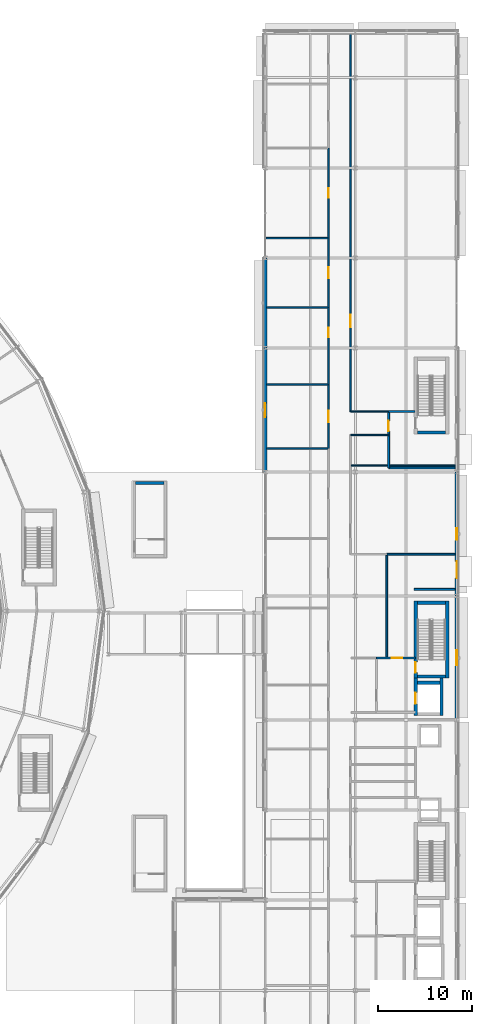
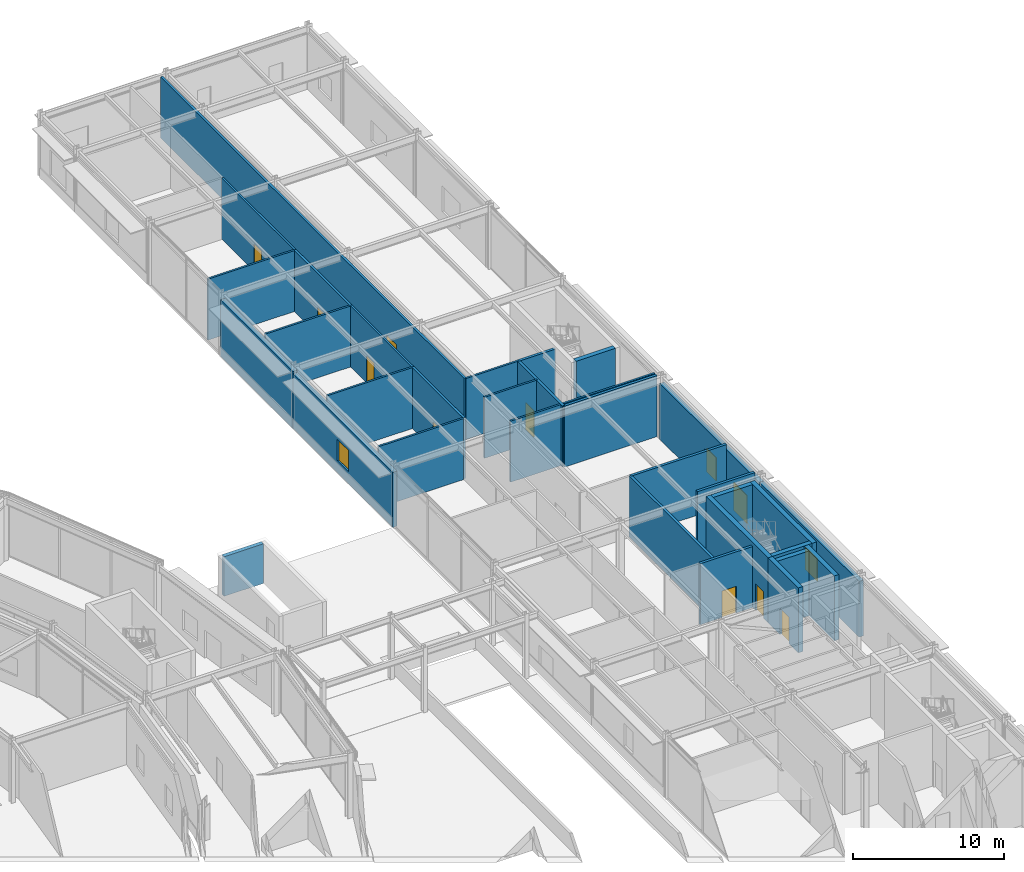
# One storey, part 130 of 168: 32 walls, 10 doors, 3 windows, 13 openings.
"""IFC4 building model written with IfcOpenShell, lengths in metres."""

from ifc_helpers import new_model, si_unit, direction, frame, frame_2d, origin, place, context, subcontext, project, spatial, rectangle, extrude, material, layer, layer_set, type_object, element, fill, save


model = new_model("IFC4")

# Units and contexts
model_context = context("Model", 3, precision=1e-05, world=origin(), true_north=direction((0.0, 1.0)))
body_context = subcontext(model_context, "Body", "Model", "MODEL_VIEW")
ifc_project = project(units=[si_unit("LENGTHUNIT", "METRE"), si_unit("AREAUNIT", "SQUARE_METRE"), si_unit("VOLUMEUNIT", "CUBIC_METRE"), si_unit("PLANEANGLEUNIT", "RADIAN"), si_unit("MASSUNIT", "GRAM", prefix="KILO")], contexts=[model_context])

# Site, building, storey
site_placement = place(None, origin())
site = spatial("IfcSite", under=ifc_project, at=site_placement, CompositionType="ELEMENT")
building_placement = place(site_placement, origin())
building = spatial("IfcBuilding", under=site, at=building_placement, Name="Almandine Court Research Institute", CompositionType="ELEMENT")
storey_placement = place(building_placement, origin())
storey = spatial("IfcBuildingStorey", under=building, at=storey_placement, Name="L00", CompositionType="ELEMENT", Elevation=0.0)

# Wall, opening, window
ifc_material_1 = material(Name="Andean Red-Buff Sandstone Plinth Wall", Category="masonry")
ifc_layer_1 = layer(ifc_material_1, 0.340087890625)
ifc_layer_set_1 = layer_set([ifc_layer_1], Name="Andean Red-Buff Sandstone Plinth Wall")
wall_type_1 = type_object("IfcWallType", Name="Wall-EXT-SAND-340", PredefinedType="SOLIDWALL", material=ifc_layer_set_1)
wall_1_placement = place(storey_placement, frame((153.60009765625, 70.803955078125, 0.0), z_axis=(0.0, 0.0, 1.0), x_axis=(0.0, 1.0, 0.0)))
wall_1 = element("IfcWall", 1, at=wall_1_placement, inside=storey, type_object=wall_type_1, Name="L00 Wet Lab West Facade Wall 5", PredefinedType="SOLIDWALL", context=body_context, shape_type="SweptSolid", body=[
    extrude(rectangle(XDim=13.192138671875, YDim=0.340087890625, at=frame_2d((6.59619140625, 0.0))), origin(), (0.0, 0.0, 1.0), 4.44189453125),
])
opening_1_placement = place(wall_1_placement, frame((5.85107421875, 0.0, 0.949951171875)))
opening_1 = element("IfcOpeningElement", 2, at=opening_1_placement, cuts=wall_1, Name="Opening WN-46", PredefinedType="OPENING", context=body_context, shape_type="SweptSolid", body=[
    extrude(rectangle(XDim=1.489990234375, YDim=1.72998046875, at=frame_2d((0.7451171875, 0.864990234375))), frame((0.0, 0.179931640625, 0.0), z_axis=(0.0, -1.0, 0.0), x_axis=(1.0, 0.0, 0.0)), (0.0, 0.0, 1.0), 0.360107421875),
])
ifc_material_2 = material(Name="Thermally Broken Low-E Double-Glazed Window", Category="glass")
window_type_1 = type_object("IfcWindowType", Name="Win-WN-46-1490x1730", PartitioningType="SINGLE_PANEL", PredefinedType="WINDOW", material=ifc_material_2)
window_1_placement = place(opening_1_placement, origin())
window_1 = element("IfcWindow", 3, at=window_1_placement, inside=storey, type_object=window_type_1, Name="L00 Modular Recessed Low-E Window 70", OverallHeight=1.72998046875, OverallWidth=1.489990234375, PartitioningType="SINGLE_PANEL", PredefinedType="WINDOW", context=body_context, shape_type="SweptSolid", body=[
    extrude(rectangle(XDim=1.489990234375, YDim=1.72998046875, at=frame_2d((0.7451171875, 0.864990234375))), frame((0.0, 0.030029296875, 0.0), z_axis=(0.0, -1.0, 0.0), x_axis=(1.0, 0.0, 0.0)), (0.0, 0.0, 1.0), 0.06005859375),
])
fill(opening_1, window_1)

# Wall
wall_2_placement = place(storey_placement, frame((153.60009765625, 84.00390625, 0.0), z_axis=(0.0, 0.0, 1.0), x_axis=(0.0, 1.0, 0.0)))
element("IfcWall", 4, at=wall_2_placement, inside=storey, type_object=wall_type_1, Name="L00 Wet Lab West Facade Wall 6", PredefinedType="SOLIDWALL", context=body_context, shape_type="SweptSolid", body=[
    extrude(rectangle(XDim=9.592041015625, YDim=0.340087890625, at=frame_2d((4.7958984375, 0.0))), origin(), (0.0, 0.0, 1.0), 4.593017578125),
])

# Wall, openings, door, window
wall_3_placement = place(storey_placement, frame((174.0, 70.7958984375, 0.0), z_axis=(0.0, 0.0, 1.0), x_axis=(0.0, -1.0, 0.0)))
wall_3 = element("IfcWall", 5, at=wall_3_placement, inside=storey, type_object=wall_type_1, Name="L00 Wet Lab East Facade Wall 6", PredefinedType="SOLIDWALL", context=body_context, shape_type="SweptSolid", body=[
    extrude(rectangle(XDim=13.19189453125, YDim=0.340087890625, at=frame_2d((6.595947265625, 0.0))), origin(), (0.0, 0.0, 1.0), 4.51611328125),
])
opening_2_placement = place(wall_3_placement, frame((9.5, 0.0, 0.0)))
opening_2 = element("IfcOpeningElement", 6, at=opening_2_placement, cuts=wall_3, Name="Opening EX-02", PredefinedType="OPENING", context=body_context, shape_type="SweptSolid", body=[
    extrude(rectangle(XDim=1.800048828125, YDim=2.25, at=frame_2d((0.89990234375, 1.125))), frame((0.0, 0.179931640625, 0.0), z_axis=(0.0, -1.0, 0.0), x_axis=(1.0, 0.0, 0.0)), (0.0, 0.0, 1.0), 0.360107421875),
])
opening_3_placement = place(wall_3_placement, frame((5.9609375, 0.0, 0.949951171875)))
opening_3 = element("IfcOpeningElement", 7, at=opening_3_placement, cuts=wall_3, Name="Opening WN-55", PredefinedType="OPENING", context=body_context, shape_type="SweptSolid", body=[
    extrude(rectangle(XDim=1.27001953125, YDim=1.889892578125, at=frame_2d((0.635009765625, 0.94482421875))), frame((0.0, 0.179931640625, 0.0), z_axis=(0.0, -1.0, 0.0), x_axis=(1.0, 0.0, 0.0)), (0.0, 0.0, 1.0), 0.360107421875),
])
ifc_material_3 = material(Name="Anodised Aluminium Exit Discharge Door", Category="aluminium")
door_type_1 = type_object("IfcDoorType", Name="Door-EX-1800", OperationType="DOUBLE_DOOR_SINGLE_SWING", PredefinedType="DOOR", material=ifc_material_3)
door_1_placement = place(opening_2_placement, origin())
door_1 = element("IfcDoor", 8, at=door_1_placement, inside=storey, type_object=door_type_1, Name="L00 Core 2 ST-08 East Protected Exit Door", OperationType="DOUBLE_DOOR_SINGLE_SWING", OverallHeight=2.25, OverallWidth=1.800048828125, PredefinedType="DOOR", context=body_context, shape_type="SweptSolid", body=[
    extrude(rectangle(XDim=1.800048828125, YDim=2.25, at=frame_2d((0.89990234375, 1.125))), frame((0.0, 0.02490234375, 0.0), z_axis=(0.0, -1.0, 0.0), x_axis=(1.0, 0.0, 0.0)), (0.0, 0.0, 1.0), 0.050048828125),
])
fill(opening_2, door_1)
window_type_2 = type_object("IfcWindowType", Name="Win-WN-55-1270x1890", PartitioningType="SINGLE_PANEL", PredefinedType="WINDOW", material=ifc_material_2)
window_2_placement = place(opening_3_placement, origin())
window_2 = element("IfcWindow", 9, at=window_2_placement, inside=storey, type_object=window_type_2, Name="L00 Modular Recessed Low-E Window 80", OverallHeight=1.889892578125, OverallWidth=1.27001953125, PartitioningType="SINGLE_PANEL", PredefinedType="WINDOW", context=body_context, shape_type="SweptSolid", body=[
    extrude(rectangle(XDim=1.27001953125, YDim=1.889892578125, at=frame_2d((0.635009765625, 0.94482421875))), frame((0.0, 0.030029296875, 0.0), z_axis=(0.0, -1.0, 0.0), x_axis=(1.0, 0.0, 0.0)), (0.0, 0.0, 1.0), 0.06005859375),
])
fill(opening_3, window_2)

# Wall, opening, window
wall_4_placement = place(storey_placement, frame((174.0, 57.595947265625, 0.0), z_axis=(0.0, 0.0, 1.0), x_axis=(0.0, -1.0, 0.0)))
wall_4 = element("IfcWall", 10, at=wall_4_placement, inside=storey, type_object=wall_type_1, Name="L00 Wet Lab East Facade Wall 5", PredefinedType="SOLIDWALL", context=body_context, shape_type="SweptSolid", body=[
    extrude(rectangle(XDim=13.19189453125, YDim=0.340087890625, at=frame_2d((6.595947265625, 0.0))), origin(), (0.0, 0.0, 1.0), 4.51611328125),
])
opening_4_placement = place(wall_4_placement, frame((5.7958984375, 0.0, 0.949951171875)))
opening_4 = element("IfcOpeningElement", 11, at=opening_4_placement, cuts=wall_4, Name="Opening WN-56", PredefinedType="OPENING", context=body_context, shape_type="SweptSolid", body=[
    extrude(rectangle(XDim=1.60009765625, YDim=1.81005859375, at=frame_2d((0.800048828125, 0.905029296875))), frame((0.0, 0.179931640625, 0.0), z_axis=(0.0, -1.0, 0.0), x_axis=(1.0, 0.0, 0.0)), (0.0, 0.0, 1.0), 0.360107421875),
])
window_type_3 = type_object("IfcWindowType", Name="Win-WN-56-1600x1810", PartitioningType="SINGLE_PANEL", PredefinedType="WINDOW", material=ifc_material_2)
window_3_placement = place(opening_4_placement, origin())
window_3 = element("IfcWindow", 12, at=window_3_placement, inside=storey, type_object=window_type_3, Name="L00 Modular Recessed Low-E Window 81", OverallHeight=1.81005859375, OverallWidth=1.60009765625, PartitioningType="SINGLE_PANEL", PredefinedType="WINDOW", context=body_context, shape_type="SweptSolid", body=[
    extrude(rectangle(XDim=1.60009765625, YDim=1.81005859375, at=frame_2d((0.800048828125, 0.905029296875))), frame((0.0, 0.030029296875, 0.0), z_axis=(0.0, -1.0, 0.0), x_axis=(1.0, 0.0, 0.0)), (0.0, 0.0, 1.0), 0.06005859375),
])
fill(opening_4, window_3)

# Wall, opening, door
ifc_material_4 = material(Name="One-Hour Fire-Rated Laboratory Partition")
ifc_layer_2 = layer(ifc_material_4, 0.175048828125)
ifc_layer_set_2 = layer_set([ifc_layer_2], Name="One-Hour Fire-Rated Laboratory Partition")
wall_type_2 = type_object("IfcWallType", Name="Wall-FIRE-175", PredefinedType="PARTITIONING", material=ifc_layer_set_2)
wall_5_placement = place(storey_placement, frame((160.35009765625, 73.320068359375, 0.0), z_axis=(0.0, 0.0, 1.0), x_axis=(0.0, 1.0, 0.0)))
wall_5 = element("IfcWall", 13, at=wall_5_placement, inside=storey, type_object=wall_type_2, Name="L00 Interior Partition W-V4-L00-WW-7", PredefinedType="PARTITIONING", context=body_context, shape_type="SweptSolid", body=[
    extrude(rectangle(XDim=6.800048828125, YDim=0.175048828125, at=frame_2d((3.39990234375, 0.0))), origin(), (0.0, 0.0, 1.0), 4.929931640625),
])
opening_5_placement = place(wall_5_placement, frame((2.800048828125, 0.0, 0.0)))
opening_5 = element("IfcOpeningElement", 14, at=opening_5_placement, cuts=wall_5, Name="Opening FD-LAB", PredefinedType="OPENING", context=body_context, shape_type="SweptSolid", body=[
    extrude(rectangle(XDim=1.199951171875, YDim=2.199951171875, at=frame_2d((0.60009765625, 1.10009765625))), frame((0.0, 0.097412109375, 0.0), z_axis=(0.0, -1.0, 0.0), x_axis=(1.0, 0.0, 0.0)), (0.0, 0.0, 1.0), 0.195068359375),
])
ifc_material_5 = material(Name="Fire-Rated Laboratory Containment Door")
door_type_2 = type_object("IfcDoorType", Name="Door-FD-LAB-1200", OperationType="NOTDEFINED", PredefinedType="DOOR", material=ifc_material_5)
door_2_placement = place(opening_5_placement, origin())
door_2 = element("IfcDoor", 15, at=door_2_placement, inside=storey, type_object=door_type_2, Name="L00 Wet Chemistry Laboratory Door", OperationType="SINGLE_SWING_LEFT", OverallHeight=2.199951171875, OverallWidth=1.199951171875, PredefinedType="DOOR", context=body_context, shape_type="SweptSolid", body=[
    extrude(rectangle(XDim=1.199951171875, YDim=2.199951171875, at=frame_2d((0.60009765625, 1.10009765625))), frame((0.0, 0.02490234375, 0.0), z_axis=(0.0, -1.0, 0.0), x_axis=(1.0, 0.0, 0.0)), (0.0, 0.0, 1.0), 0.050048828125),
])
fill(opening_5, door_2)

wall_6_placement = place(storey_placement, frame((160.35009765625, 88.320068359375, 0.0), z_axis=(0.0, 0.0, 1.0), x_axis=(0.0, 1.0, 0.0)))
wall_6 = element("IfcWall", 16, at=wall_6_placement, inside=storey, type_object=wall_type_2, Name="L00 Interior Partition W-V4-L00-WW-9", PredefinedType="PARTITIONING", context=body_context, shape_type="SweptSolid", body=[
    extrude(rectangle(XDim=7.39990234375, YDim=0.175048828125, at=frame_2d((3.699951171875, 0.0))), origin(), (0.0, 0.0, 1.0), 4.929931640625),
])
opening_6_placement = place(wall_6_placement, frame((3.10009765625, 0.0, 0.0)))
opening_6 = element("IfcOpeningElement", 17, at=opening_6_placement, cuts=wall_6, Name="Opening FD-LAB", PredefinedType="OPENING", context=body_context, shape_type="SweptSolid", body=[
    extrude(rectangle(XDim=1.199951171875, YDim=2.199951171875, at=frame_2d((0.60009765625, 1.10009765625))), frame((0.0, 0.097412109375, 0.0), z_axis=(0.0, -1.0, 0.0), x_axis=(1.0, 0.0, 0.0)), (0.0, 0.0, 1.0), 0.195068359375),
])
door_3_placement = place(opening_6_placement, origin())
door_3 = element("IfcDoor", 18, at=door_3_placement, inside=storey, type_object=door_type_2, Name="L00 Biosciences BSL-2 Laboratory Door", OperationType="SINGLE_SWING_LEFT", OverallHeight=2.199951171875, OverallWidth=1.199951171875, PredefinedType="DOOR", context=body_context, shape_type="SweptSolid", body=[
    extrude(rectangle(XDim=1.199951171875, YDim=2.199951171875, at=frame_2d((0.60009765625, 1.10009765625))), frame((0.0, 0.02490234375, 0.0), z_axis=(0.0, -1.0, 0.0), x_axis=(1.0, 0.0, 0.0)), (0.0, 0.0, 1.0), 0.050048828125),
])
fill(opening_6, door_3)

wall_7_placement = place(storey_placement, frame((162.699951171875, 77.25, 0.0), z_axis=(0.0, 0.0, 1.0), x_axis=(0.0, 1.0, 0.0)))
wall_7 = element("IfcWall", 19, at=wall_7_placement, inside=storey, type_object=wall_type_2, Name="L00 Interior Partition W-V4-L00-EW-N2", PredefinedType="PARTITIONING", context=body_context, shape_type="SweptSolid", body=[
    extrude(rectangle(XDim=40.18994140625, YDim=0.175048828125, at=frame_2d((20.094970703125, 0.0))), origin(), (0.0, 0.0, 1.0), 4.929931640625),
])
opening_7_placement = place(wall_7_placement, frame((8.949951171875, 0.0, 0.0)))
opening_7 = element("IfcOpeningElement", 20, at=opening_7_placement, cuts=wall_7, Name="Opening FD-LB2", PredefinedType="OPENING", context=body_context, shape_type="SweptSolid", body=[
    extrude(rectangle(XDim=1.35009765625, YDim=2.199951171875, at=frame_2d((0.675048828125, 1.10009765625))), frame((0.0, 0.097412109375, 0.0), z_axis=(0.0, -1.0, 0.0), x_axis=(1.0, 0.0, 0.0)), (0.0, 0.0, 1.0), 0.195068359375),
])
ifc_material_6 = material(Name="Wide Fire-Rated Cleanroom and Lab Door")
door_type_3 = type_object("IfcDoorType", Name="Door-FD-LAB-1350", OperationType="NOTDEFINED", PredefinedType="DOOR", material=ifc_material_6)
door_4_placement = place(opening_7_placement, origin())
door_4 = element("IfcDoor", 21, at=door_4_placement, inside=storey, type_object=door_type_3, Name="L00 East BSL-2 Lab Door", OperationType="SINGLE_SWING_RIGHT", OverallHeight=2.199951171875, OverallWidth=1.35009765625, PredefinedType="DOOR", context=body_context, shape_type="SweptSolid", body=[
    extrude(rectangle(XDim=1.35009765625, YDim=2.199951171875, at=frame_2d((0.675048828125, 1.10009765625))), frame((0.0, 0.02490234375, 0.0), z_axis=(0.0, -1.0, 0.0), x_axis=(1.0, 0.0, 0.0)), (0.0, 0.0, 1.0), 0.050048828125),
])
fill(opening_7, door_4)

ifc_material_7 = material(Name="Two-Hour Fire-Barrier Enclosure Wall")
ifc_layer_3 = layer(ifc_material_7, 0.199951171875)
ifc_layer_set_3 = layer_set([ifc_layer_3], Name="Two-Hour Fire-Barrier Enclosure Wall")
wall_type_3 = type_object("IfcWallType", Name="Wall-FIRE-200", PredefinedType="SOLIDWALL", material=ifc_layer_set_3)
wall_8_placement = place(storey_placement, frame((165.449951171875, 51.0, 0.0), z_axis=(0.0, 0.0, 1.0), x_axis=(1.0, 0.0, 0.0)))
wall_8 = element("IfcWall", 22, at=wall_8_placement, inside=storey, type_object=wall_type_3, Name="L00 Interior Partition W-FFL2-L00-N", PredefinedType="SOLIDWALL", context=body_context, shape_type="SweptSolid", body=[
    extrude(rectangle(XDim=4.150146484375, YDim=0.199951171875, at=frame_2d((2.0751953125, 0.0))), origin(), (0.0, 0.0, 1.0), 4.929931640625),
])
opening_8_placement = place(wall_8_placement, frame((1.64990234375, 0.0, 0.0)))
opening_8 = element("IfcOpeningElement", 23, at=opening_8_placement, cuts=wall_8, Name="Opening FD-FFL", PredefinedType="OPENING", context=body_context, shape_type="SweptSolid", body=[
    extrude(rectangle(XDim=1.10009765625, YDim=2.14990234375, at=frame_2d((0.550048828125, 1.074951171875))), frame((0.0, 0.10986328125, 0.0), z_axis=(0.0, -1.0, 0.0), x_axis=(1.0, 0.0, 0.0)), (0.0, 0.0, 1.0), 0.219970703125),
])
ifc_material_8 = material(Name="Smoke-Tight Firefighting Lobby Fire Door")
door_type_4 = type_object("IfcDoorType", Name="Door-FD-FFL-1100", OperationType="NOTDEFINED", PredefinedType="DOOR", material=ifc_material_8)
door_5_placement = place(opening_8_placement, origin())
door_5 = element("IfcDoor", 24, at=door_5_placement, inside=storey, type_object=door_type_4, Name="L00 ST-08 Protected Exit Passageway Door", OperationType="SINGLE_SWING_RIGHT", OverallHeight=2.14990234375, OverallWidth=1.10009765625, PredefinedType="DOOR", context=body_context, shape_type="SweptSolid", body=[
    extrude(rectangle(XDim=1.10009765625, YDim=2.14990234375, at=frame_2d((0.550048828125, 1.074951171875))), frame((0.0, 0.02490234375, 0.0), z_axis=(0.0, -1.0, 0.0), x_axis=(1.0, 0.0, 0.0)), (0.0, 0.0, 1.0), 0.050048828125),
])
fill(opening_8, door_5)

# Walls
wall_9_placement = place(storey_placement, frame((166.550048828125, 51.050048828125, 0.0), z_axis=(0.0, 0.0, 1.0), x_axis=(0.0, 1.0, 0.0)))
element("IfcWall", 25, at=wall_9_placement, inside=storey, type_object=wall_type_3, Name="L00 Interior Partition W-EP-ST08-W", PredefinedType="SOLIDWALL", context=body_context, shape_type="SweptSolid", body=[
    extrude(rectangle(XDim=11.0, YDim=0.199951171875, at=frame_2d((5.5, 0.0))), origin(), (0.0, 0.0, 1.0), 4.929931640625),
])
wall_10_placement = place(storey_placement, frame((166.550048828125, 62.050048828125, 0.0), z_axis=(0.0, 0.0, 1.0), x_axis=(1.0, 0.0, 0.0)))
element("IfcWall", 26, at=wall_10_placement, inside=storey, type_object=wall_type_3, Name="L00 Interior Partition W-EP-ST08-N", PredefinedType="SOLIDWALL", context=body_context, shape_type="SweptSolid", body=[
    extrude(rectangle(XDim=7.2900390625, YDim=0.199951171875, at=frame_2d((3.64501953125, 0.0))), origin(), (0.0, 0.0, 1.0), 4.929931640625),
])
wall_11_placement = place(storey_placement, frame((169.449951171875, 58.300048828125, 0.0), z_axis=(0.0, 0.0, 1.0), x_axis=(1.0, 0.0, 0.0)))
element("IfcWall", 27, at=wall_11_placement, inside=storey, type_object=wall_type_3, Name="L00 Interior Partition W-EP-ST08-S", PredefinedType="SOLIDWALL", context=body_context, shape_type="SweptSolid", body=[
    extrude(rectangle(XDim=4.39013671875, YDim=0.199951171875, at=frame_2d((2.195068359375, 0.0))), origin(), (0.0, 0.0, 1.0), 4.929931640625),
])

# Wall, opening, door
wall_12_placement = place(storey_placement, frame((166.75, 71.25, 0.0), z_axis=(0.0, 0.0, 1.0), x_axis=(0.0, 1.0, 0.0)))
wall_12 = element("IfcWall", 28, at=wall_12_placement, inside=storey, type_object=wall_type_3, Name="L00 Interior Partition W-EP-ST13-W", PredefinedType="SOLIDWALL", context=body_context, shape_type="SweptSolid", body=[
    extrude(rectangle(XDim=6.0, YDim=0.199951171875, at=frame_2d((3.0, 0.0))), origin(), (0.0, 0.0, 1.0), 4.929931640625),
])
opening_9_placement = place(wall_12_placement, frame((3.89990234375, 0.0, 0.0)))
opening_9 = element("IfcOpeningElement", 29, at=opening_9_placement, cuts=wall_12, Name="Opening FD-FFL", PredefinedType="OPENING", context=body_context, shape_type="SweptSolid", body=[
    extrude(rectangle(XDim=1.10009765625, YDim=2.14990234375, at=frame_2d((0.550048828125, 1.074951171875))), frame((0.0, 0.10986328125, 0.0), z_axis=(0.0, -1.0, 0.0), x_axis=(1.0, 0.0, 0.0)), (0.0, 0.0, 1.0), 0.219970703125),
])
door_6_placement = place(opening_9_placement, origin())
door_6 = element("IfcDoor", 30, at=door_6_placement, inside=storey, type_object=door_type_4, Name="L00 ST-13 Exit Lobby Fire Door", OperationType="SINGLE_SWING_LEFT", OverallHeight=2.14990234375, OverallWidth=1.10009765625, PredefinedType="DOOR", context=body_context, shape_type="SweptSolid", body=[
    extrude(rectangle(XDim=1.10009765625, YDim=2.14990234375, at=frame_2d((0.550048828125, 1.074951171875))), frame((0.0, 0.02490234375, 0.0), z_axis=(0.0, -1.0, 0.0), x_axis=(1.0, 0.0, 0.0)), (0.0, 0.0, 1.0), 0.050048828125),
])
fill(opening_9, door_6)

# Walls
wall_13_placement = place(storey_placement, frame((166.75, 71.25, 0.0), z_axis=(0.0, 0.0, 1.0), x_axis=(1.0, 0.0, 0.0)))
element("IfcWall", 31, at=wall_13_placement, inside=storey, type_object=wall_type_3, Name="L00 Interior Partition W-EP-ST13-S", PredefinedType="SOLIDWALL", context=body_context, shape_type="SweptSolid", body=[
    extrude(rectangle(XDim=7.090087890625, YDim=0.199951171875, at=frame_2d((3.544921875, 0.0))), origin(), (0.0, 0.0, 1.0), 4.929931640625),
])
wall_14_placement = place(storey_placement, frame((166.75, 77.25, 0.0), z_axis=(0.0, 0.0, 1.0), x_axis=(1.0, 0.0, 0.0)))
element("IfcWall", 32, at=wall_14_placement, inside=storey, type_object=wall_type_3, Name="L00 Interior Partition W-EP-ST13-N", PredefinedType="SOLIDWALL", context=body_context, shape_type="SweptSolid", body=[
    extrude(rectangle(XDim=2.800048828125, YDim=0.199951171875, at=frame_2d((1.39990234375, 0.0))), origin(), (0.0, 0.0, 1.0), 4.929931640625),
])
ifc_material_9 = material(Name="Acoustic Steel-Stud Gypsum Partition Wall", Category="steel")
ifc_layer_4 = layer(ifc_material_9, 0.14990234375)
ifc_layer_set_4 = layer_set([ifc_layer_4], Name="Acoustic Steel-Stud Gypsum Partition Wall")
wall_type_4 = type_object("IfcWallType", Name="Wall-PART-150", PredefinedType="PARTITIONING", material=ifc_layer_set_4)
for number, where, z_axis, x_axis, name in (
    (33, (153.760009765625, 73.320068359375, 0.0), (0.0, 0.0, 1.0), (1.0, 0.0, 0.0), "L00 Interior Partition W-V4-L00-WDIV-6"),
    (34, (153.760009765625, 80.1201171875, 0.0), (0.0, 0.0, 1.0), (1.0, 0.0, 0.0), "L00 Interior Partition W-V4-L00-WDIV-7"),
):
    element("IfcWall", number, at=place(storey_placement, frame(where, z_axis=z_axis, x_axis=x_axis)), inside=storey, type_object=wall_type_4, Name=name, PredefinedType="PARTITIONING", context=body_context, shape_type="SweptSolid", body=[
        extrude(rectangle(XDim=6.510009765625, YDim=0.14990234375, at=frame_2d((3.2548828125, 0.0))), origin(), (0.0, 0.0, 1.0), 4.929931640625),
    ])

# Wall, opening, door
wall_15_placement = place(storey_placement, frame((160.35009765625, 80.1201171875, 0.0), z_axis=(0.0, 0.0, 1.0), x_axis=(0.0, 1.0, 0.0)))
wall_15 = element("IfcWall", 35, at=wall_15_placement, inside=storey, type_object=wall_type_4, Name="L00 Interior Partition W-V4-L00-WW-8", PredefinedType="PARTITIONING", context=body_context, shape_type="SweptSolid", body=[
    extrude(rectangle(XDim=8.199951171875, YDim=0.14990234375, at=frame_2d((4.10009765625, 0.0))), origin(), (0.0, 0.0, 1.0), 4.929931640625),
])
opening_10_placement = place(wall_15_placement, frame((5.030029296875, 0.0, 0.0)))
opening_10 = element("IfcOpeningElement", 36, at=opening_10_placement, cuts=wall_15, Name="Opening D-02", PredefinedType="OPENING", context=body_context, shape_type="SweptSolid", body=[
    extrude(rectangle(XDim=1.0, YDim=2.199951171875, at=frame_2d((0.5, 1.10009765625))), frame((0.0, 0.0849609375, 0.0), z_axis=(0.0, -1.0, 0.0), x_axis=(1.0, 0.0, 0.0)), (0.0, 0.0, 1.0), 0.169921875),
])
ifc_material_10 = material(Name="Solid-Core Timber Researcher Office Door", Category="wood")
door_type_5 = type_object("IfcDoorType", Name="Door-INT-1000", OperationType="NOTDEFINED", PredefinedType="DOOR", material=ifc_material_10)
door_7_placement = place(opening_10_placement, origin())
door_7 = element("IfcDoor", 37, at=door_7_placement, inside=storey, type_object=door_type_5, Name="L00 Faculty Study Door", OperationType="SINGLE_SWING_RIGHT", OverallHeight=2.199951171875, OverallWidth=1.0, PredefinedType="DOOR", context=body_context, shape_type="SweptSolid", body=[
    extrude(rectangle(XDim=1.0, YDim=2.199951171875, at=frame_2d((0.5, 1.10009765625))), frame((0.0, 0.02490234375, 0.0), z_axis=(0.0, -1.0, 0.0), x_axis=(1.0, 0.0, 0.0)), (0.0, 0.0, 1.0), 0.050048828125),
])
fill(opening_10, door_7)

# Walls
wall_16_placement = place(storey_placement, frame((153.760009765625, 88.320068359375, 0.0), z_axis=(0.0, 0.0, 1.0), x_axis=(1.0, 0.0, 0.0)))
element("IfcWall", 38, at=wall_16_placement, inside=storey, type_object=wall_type_4, Name="L00 Interior Partition W-V4-L00-WDIV-8", PredefinedType="PARTITIONING", context=body_context, shape_type="SweptSolid", body=[
    extrude(rectangle(XDim=6.510009765625, YDim=0.14990234375, at=frame_2d((3.2548828125, 0.0))), origin(), (0.0, 0.0, 1.0), 4.929931640625),
])
wall_17_placement = place(storey_placement, frame((153.659912109375, 95.719970703125, 0.0), z_axis=(0.0, 0.0, 1.0), x_axis=(1.0, 0.0, 0.0)))
element("IfcWall", 39, at=wall_17_placement, inside=storey, type_object=wall_type_4, Name="L00 Interior Partition W-V4-L00-WDIV-9", PredefinedType="PARTITIONING", context=body_context, shape_type="SweptSolid", body=[
    extrude(rectangle(XDim=6.610107421875, YDim=0.14990234375, at=frame_2d((3.30517578125, 0.0))), origin(), (0.0, 0.0, 1.0), 4.929931640625),
])

# Wall, opening, door
wall_18_placement = place(storey_placement, frame((160.35009765625, 95.719970703125, 0.0), z_axis=(0.0, 0.0, 1.0), x_axis=(0.0, 1.0, 0.0)))
wall_18 = element("IfcWall", 40, at=wall_18_placement, inside=storey, type_object=wall_type_4, Name="L00 Interior Partition W-V4-L00-WW-10", PredefinedType="PARTITIONING", context=body_context, shape_type="SweptSolid", body=[
    extrude(rectangle(XDim=9.60009765625, YDim=0.14990234375, at=frame_2d((4.800048828125, 0.0))), origin(), (0.0, 0.0, 1.0), 4.929931640625),
])
opening_11_placement = place(wall_18_placement, frame((4.300048828125, 0.0, 0.0)))
opening_11 = element("IfcOpeningElement", 41, at=opening_11_placement, cuts=wall_18, Name="Opening D-02", PredefinedType="OPENING", context=body_context, shape_type="SweptSolid", body=[
    extrude(rectangle(XDim=1.0, YDim=2.199951171875, at=frame_2d((0.5, 1.10009765625))), frame((0.0, 0.0849609375, 0.0), z_axis=(0.0, -1.0, 0.0), x_axis=(1.0, 0.0, 0.0)), (0.0, 0.0, 1.0), 0.169921875),
])
door_8_placement = place(opening_11_placement, origin())
door_8 = element("IfcDoor", 42, at=door_8_placement, inside=storey, type_object=door_type_5, Name="L00 Seminar Room Door", OperationType="SINGLE_SWING_RIGHT", OverallHeight=2.199951171875, OverallWidth=1.0, PredefinedType="DOOR", context=body_context, shape_type="SweptSolid", body=[
    extrude(rectangle(XDim=1.0, YDim=2.199951171875, at=frame_2d((0.5, 1.10009765625))), frame((0.0, 0.02490234375, 0.0), z_axis=(0.0, -1.0, 0.0), x_axis=(1.0, 0.0, 0.0)), (0.0, 0.0, 1.0), 0.050048828125),
])
fill(opening_11, door_8)

# Walls
for number, where, z_axis, x_axis, name in (
    (43, (162.699951171875, 74.75, 0.0), (0.0, 0.0, 1.0), (1.0, 0.0, 0.0), "L00 Interior Partition W-V4-L00-ST13S"),
    (44, (162.699951171875, 77.25, 0.0), (0.0, 0.0, 1.0), (1.0, 0.0, 0.0), "L00 Interior Partition W-V4-L00-ST13N"),
):
    element("IfcWall", number, at=place(storey_placement, frame(where, z_axis=z_axis, x_axis=x_axis)), inside=storey, type_object=wall_type_4, Name=name, PredefinedType="PARTITIONING", context=body_context, shape_type="SweptSolid", body=[
        extrude(rectangle(XDim=4.050048828125, YDim=0.14990234375, at=frame_2d((2.02490234375, 0.0))), origin(), (0.0, 0.0, 1.0), 4.929931640625),
    ])
wall_19_placement = place(storey_placement, frame((162.7900390625, 71.5, 0.0), z_axis=(0.0, 0.0, 1.0), x_axis=(1.0, 0.0, 0.0)))
element("IfcWall", 45, at=wall_19_placement, inside=storey, type_object=wall_type_4, Name="L00 Interior Partition W-V4-L00-EDIV-N", PredefinedType="PARTITIONING", context=body_context, shape_type="SweptSolid", body=[
    extrude(rectangle(XDim=11.050048828125, YDim=0.14990234375, at=frame_2d((5.52490234375, 0.0))), origin(), (0.0, 0.0, 1.0), 4.929931640625),
])
ifc_material_11 = material(Name="Concrete C40/50", Category="concrete")
ifc_layer_5 = layer(ifc_material_11, 0.300048828125)
ifc_layer_set_5 = layer_set([ifc_layer_5], Name="Concrete C40/50")
wall_type_5 = type_object("IfcWallType", Name="Wall-SW-CORE-300-E", PredefinedType="SHEAR", material=ifc_layer_set_5)
wall_20_placement = place(storey_placement, frame((139.800048828125, 69.64990234375, 0.0), z_axis=(0.0, 0.0, 1.0), x_axis=(1.0, 0.0, 0.0)))
element("IfcWall", 46, at=wall_20_placement, inside=storey, type_object=wall_type_5, Name="L00 ST-12 Penthouse N Shear Wall", PredefinedType="SHEAR", context=body_context, shape_type="SweptSolid", body=[
    extrude(rectangle(XDim=3.0, YDim=0.300048828125, at=frame_2d((1.5, 0.0))), origin(), (0.0, 0.0, 1.0), 3.199951171875),
])

# Wall, opening, door
ifc_layer_6 = layer(ifc_material_11, 0.35009765625)
ifc_layer_set_6 = layer_set([ifc_layer_6], Name="Concrete C40/50")
wall_type_6 = type_object("IfcWallType", Name="Wall-SW-CORE-350", PredefinedType="SHEAR", material=ifc_layer_set_6)
wall_21_placement = place(storey_placement, frame((169.625, 48.85009765625, 0.0), z_axis=(0.0, 0.0, 1.0), x_axis=(0.0, 1.0, 0.0)))
wall_21 = element("IfcWall", 47, at=wall_21_placement, inside=storey, type_object=wall_type_6, Name="L00 ST-08 W Shear Wall", PredefinedType="SHEAR", context=body_context, shape_type="SweptSolid", body=[
    extrude(rectangle(XDim=8.199951171875, YDim=0.35009765625, at=frame_2d((4.10009765625, 0.0))), origin(), (0.0, 0.0, 1.0), 5.25),
])
opening_12_placement = place(wall_21_placement, frame((0.60009765625, 0.0, 0.0)))
opening_12 = element("IfcOpeningElement", 48, at=opening_12_placement, cuts=wall_21, Name="Opening FD-STAIR", PredefinedType="OPENING", context=body_context, shape_type="SweptSolid", body=[
    extrude(rectangle(XDim=1.10009765625, YDim=2.14990234375, at=frame_2d((0.550048828125, 1.074951171875))), frame((0.0, 0.18505859375, 0.0), z_axis=(0.0, -1.0, 0.0), x_axis=(1.0, 0.0, 0.0)), (0.0, 0.0, 1.0), 0.3701171875),
])
ifc_material_12 = material(Name="Self-Closing Steel Exit Stair Fire Door", Category="steel")
door_type_6 = type_object("IfcDoorType", Name="Door-FD-STAIR-1100", OperationType="NOTDEFINED", PredefinedType="DOOR", material=ifc_material_12)
door_9_placement = place(opening_12_placement, origin())
door_9 = element("IfcDoor", 49, at=door_9_placement, inside=storey, type_object=door_type_6, Name="L00 Exit Stair ST-08 Fire Door", OperationType="SINGLE_SWING_LEFT", OverallHeight=2.14990234375, OverallWidth=1.10009765625, PredefinedType="DOOR", context=body_context, shape_type="SweptSolid", body=[
    extrude(rectangle(XDim=1.10009765625, YDim=2.14990234375, at=frame_2d((0.550048828125, 1.074951171875))), frame((0.0, 0.02490234375, 0.0), z_axis=(0.0, -1.0, 0.0), x_axis=(1.0, 0.0, 0.0)), (0.0, 0.0, 1.0), 0.050048828125),
])
fill(opening_12, door_9)

# Walls
wall_22_placement = place(storey_placement, frame((169.800048828125, 56.875, 0.0), z_axis=(0.0, 0.0, 1.0), x_axis=(1.0, 0.0, 0.0)))
element("IfcWall", 50, at=wall_22_placement, inside=storey, type_object=wall_type_6, Name="L00 ST-08 N Shear Wall", PredefinedType="SHEAR", context=body_context, shape_type="SweptSolid", body=[
    extrude(rectangle(XDim=3.0, YDim=0.35009765625, at=frame_2d((1.5, 0.0))), origin(), (0.0, 0.0, 1.0), 5.25),
])
wall_23_placement = place(storey_placement, frame((172.97509765625, 57.050048828125, 0.0), z_axis=(0.0, 0.0, 1.0), x_axis=(0.0, -1.0, 0.0)))
element("IfcWall", 51, at=wall_23_placement, inside=storey, type_object=wall_type_6, Name="L00 ST-08 E Shear Wall", PredefinedType="SHEAR", context=body_context, shape_type="SweptSolid", body=[
    extrude(rectangle(XDim=8.199951171875, YDim=0.35009765625, at=frame_2d((4.10009765625, 0.0))), origin(), (0.0, 0.0, 1.0), 5.25),
])
for number, where, z_axis, x_axis, name in (
    (52, (172.800048828125, 49.02490234375, 0.0), (0.0, 0.0, 1.0), (-1.0, 0.0, 0.0), "L00 ST-08 S Shear Wall"),
    (53, (172.800048828125, 75.02490234375, 0.0), (0.0, 0.0, 1.0), (-1.0, 0.0, 0.0), "L00 ST-13 S Shear Wall"),
):
    element("IfcWall", number, at=place(storey_placement, frame(where, z_axis=z_axis, x_axis=x_axis)), inside=storey, type_object=wall_type_6, Name=name, PredefinedType="SHEAR", context=body_context, shape_type="SweptSolid", body=[
        extrude(rectangle(XDim=3.0, YDim=0.35009765625, at=frame_2d((1.5, 0.0))), origin(), (0.0, 0.0, 1.0), 5.25),
    ])

# Wall, opening, door
wall_24_placement = place(storey_placement, frame((169.625, 44.85009765625, 0.0), z_axis=(0.0, 0.0, 1.0), x_axis=(0.0, 1.0, 0.0)))
wall_24 = element("IfcWall", 54, at=wall_24_placement, inside=storey, type_object=wall_type_6, Name="L00 FL-02 Hoistway W Shear Wall", PredefinedType="SHEAR", context=body_context, shape_type="SweptSolid", body=[
    extrude(rectangle(XDim=4.0, YDim=0.35009765625, at=frame_2d((2.0, 0.0))), origin(), (0.0, 0.0, 1.0), 5.25),
])
opening_13_placement = place(wall_24_placement, frame((1.25, 0.0, 0.0)))
opening_13 = element("IfcOpeningElement", 55, at=opening_13_placement, cuts=wall_24, Name="Opening LD-02", PredefinedType="OPENING", context=body_context, shape_type="SweptSolid", body=[
    extrude(rectangle(XDim=1.199951171875, YDim=2.14990234375, at=frame_2d((0.60009765625, 1.074951171875))), frame((0.0, 0.18505859375, 0.0), z_axis=(0.0, -1.0, 0.0), x_axis=(1.0, 0.0, 0.0)), (0.0, 0.0, 1.0), 0.3701171875),
])
ifc_material_13 = material(Name="Firefighting Lift Landing Sliding Door")
door_type_7 = type_object("IfcDoorType", Name="Door-LD-FSAE-1200", OperationType="SLIDING_TO_LEFT", PredefinedType="USERDEFINED", material=ifc_material_13)
door_10_placement = place(opening_13_placement, origin())
door_10 = element("IfcDoor", 56, at=door_10_placement, inside=storey, type_object=door_type_7, Name="L00 Firefighting Lift FL-02 Sliding Landing Door", ObjectType="LANDING DOOR", OperationType="SLIDING_TO_LEFT", OverallHeight=2.14990234375, OverallWidth=1.199951171875, PredefinedType="USERDEFINED", context=body_context, shape_type="SweptSolid", body=[
    extrude(rectangle(XDim=1.199951171875, YDim=2.14990234375, at=frame_2d((0.60009765625, 1.074951171875))), frame((0.0, 0.02490234375, 0.0), z_axis=(0.0, -1.0, 0.0), x_axis=(1.0, 0.0, 0.0)), (0.0, 0.0, 1.0), 0.050048828125),
])
fill(opening_13, door_10)

# Walls
wall_25_placement = place(storey_placement, frame((169.800048828125, 48.375, 0.0), z_axis=(0.0, 0.0, 1.0), x_axis=(1.0, 0.0, 0.0)))
element("IfcWall", 57, at=wall_25_placement, inside=storey, type_object=wall_type_6, Name="L00 FL-02 Hoistway N Shear Wall", PredefinedType="SHEAR", context=body_context, shape_type="SweptSolid", body=[
    extrude(rectangle(XDim=2.39990234375, YDim=0.35009765625, at=frame_2d((1.199951171875, 0.0))), origin(), (0.0, 0.0, 1.0), 5.25),
])
wall_26_placement = place(storey_placement, frame((172.375, 48.85009765625, 0.0), z_axis=(0.0, 0.0, 1.0), x_axis=(0.0, -1.0, 0.0)))
element("IfcWall", 58, at=wall_26_placement, inside=storey, type_object=wall_type_6, Name="L00 FL-02 Hoistway E Shear Wall", PredefinedType="SHEAR", context=body_context, shape_type="SweptSolid", body=[
    extrude(rectangle(XDim=4.0, YDim=0.35009765625, at=frame_2d((2.0, 0.0))), origin(), (0.0, 0.0, 1.0), 5.25),
])

save(model, "model.ifc")
